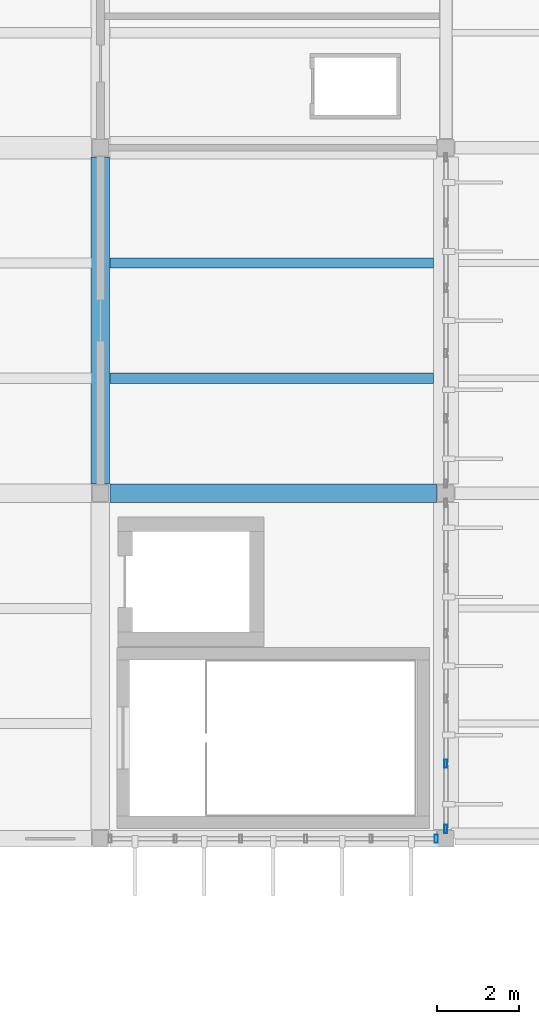
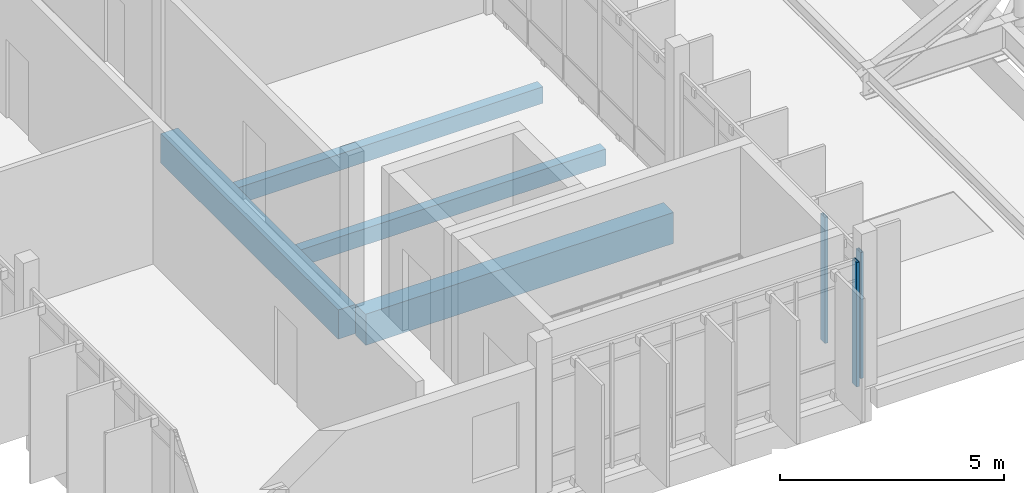
# One storey, part 6 of 41: 4 beams, 3 members, 2 elements without a shape of their own.
"""IFC4 building model written with IfcOpenShell, lengths in metres."""

from ifc_helpers import new_model, si_unit, direction, frame, origin, origin_2d, place, context, subcontext, project, spatial, rectangle, hollow_rectangle, extrude, material, layer, layer_set, material_profile, profile_set, type_object, element, aggregate, save


model = new_model("IFC4")

# Units and contexts
model_context = context("Model", 3, precision=1e-05, world=origin(), true_north=direction((0.0, 1.0)))
body_context = subcontext(model_context, "Body", "Model", "MODEL_VIEW")
ifc_project = project(units=[si_unit("LENGTHUNIT", "METRE"), si_unit("AREAUNIT", "SQUARE_METRE"), si_unit("VOLUMEUNIT", "CUBIC_METRE"), si_unit("PLANEANGLEUNIT", "RADIAN"), si_unit("MASSUNIT", "GRAM", prefix="KILO")], contexts=[model_context])

# Site, building, storey
site_placement = place(None, origin())
site = spatial("IfcSite", under=ifc_project, at=site_placement, CompositionType="ELEMENT")
building_placement = place(site_placement, origin())
building = spatial("IfcBuilding", under=site, at=building_placement, Name="Vireocrest Preparatory School", CompositionType="ELEMENT")
storey_placement = place(building_placement, frame((0.0, 0.0, 21.60009765625)))
storey = spatial("IfcBuildingStorey", under=building, at=storey_placement, Name="L05", CompositionType="ELEMENT", Elevation=21.60009765625)

# Curtain wall, member
ifc_material_1 = material(Name="Thermally broken aluminium EN AW-6063-T6", Category="aluminium")
ifc_layer_1 = layer(ifc_material_1, 0.179931640625)
ifc_layer_set_1 = layer_set([ifc_layer_1], Name="Thermally broken aluminium EN AW-6063-T6")
curtain_wall_type_1 = type_object("IfcCurtainWallType", Name="Side Facade Curtain Wall 9000x4200", PredefinedType="USERDEFINED", material=ifc_layer_set_1)
curtain_wall_1_placement = place(storey_placement, origin())
curtain_wall_1 = element("IfcCurtainWall", 1, at=curtain_wall_1_placement, inside=storey, type_object=curtain_wall_type_1, Name="Curtain Wall CW07 CW_L05_CW07_0506_0438_216", ObjectType="CURTAIN WALL", PredefinedType="USERDEFINED")
ifc_material_profile_1 = material_profile(ifc_material_1, hollow_rectangle(XDim=0.074951171875, YDim=0.199951171875, WallThickness=0.0048828125, at=origin_2d()), Name="ALU 75x200x5")
ifc_profile_set_1 = profile_set([ifc_material_profile_1], Name="Thermally broken aluminium EN AW-6063-T6")
member_type = type_object("IfcMemberType", Name="CW Mullion 75x200x5", PredefinedType="MULLION", material=ifc_profile_set_1)
member_1_placement = place(storey_placement, frame((58.56494140625, 43.800048828125, 0.0), z_axis=(0.0, 0.0, 1.0), x_axis=(1.0, 0.0, 0.0)))
member_1 = element("IfcMember", 2, at=member_1_placement, type_object=member_type, Name="CW Mullion ML3 CW_L05_CW07_0506_0438_216-6", PredefinedType="MULLION", context=body_context, shape_type="SweptSolid", body=[
    extrude(hollow_rectangle(XDim=0.074951171875, YDim=0.199951171875, WallThickness=0.0048828125, at=origin_2d()), origin(), (0.0, 0.0, 1.0), 3.39501953125),
])
aggregate(curtain_wall_1, [member_1])

# Curtain wall, members
ifc_layer_2 = layer(ifc_material_1, 0.179931640625)
ifc_layer_set_2 = layer_set([ifc_layer_2], Name="Thermally broken aluminium EN AW-6063-T6")
curtain_wall_type_2 = type_object("IfcCurtainWallType", Name="Teaching Fin Curtain Wall 8400x4200", PredefinedType="USERDEFINED", material=ifc_layer_set_2)
curtain_wall_2_placement = place(storey_placement, origin())
curtain_wall_2 = element("IfcCurtainWall", 3, at=curtain_wall_2_placement, inside=storey, type_object=curtain_wall_type_2, Name="Curtain Wall CW03 CW_L05_CW03_0588_0440_216", ObjectType="CURTAIN WALL", PredefinedType="USERDEFINED")
member_2_placement = place(storey_placement, frame((58.800048828125, 44.034912109375, 0.0), z_axis=(0.0, 0.0, 1.0), x_axis=(1.0, 0.0, 0.0)))
member_2 = element("IfcMember", 4, at=member_2_placement, type_object=member_type, Name="CW Mullion ML3 CW_L05_CW03_0588_0440_216-1", PredefinedType="MULLION", context=body_context, shape_type="SweptSolid", body=[
    extrude(hollow_rectangle(XDim=0.074951171875, YDim=0.199951171875, WallThickness=0.0048828125, at=origin_2d()), origin(), (0.0, 0.0, 1.0), 3.44482421875),
])
member_3_placement = place(storey_placement, frame((58.800048828125, 45.62109375, 0.0), z_axis=(0.0, 0.0, 1.0), x_axis=(1.0, 0.0, 0.0)))
member_3 = element("IfcMember", 5, at=member_3_placement, type_object=member_type, Name="CW Mullion ML3 CW_L05_CW03_0588_0440_216-2", PredefinedType="MULLION", context=body_context, shape_type="SweptSolid", body=[
    extrude(hollow_rectangle(XDim=0.074951171875, YDim=0.199951171875, WallThickness=0.0048828125, at=origin_2d()), origin(), (0.0, 0.0, 1.0), 3.44482421875),
])
aggregate(curtain_wall_2, [member_2, member_3])

# Beams
ifc_material_2 = material(Name="Concrete 40 MPa", Category="concrete")
ifc_material_profile_2 = material_profile(ifc_material_2, rectangle(XDim=0.449951171875, YDim=0.85009765625, at=origin_2d()), Name="RC 450x850")
ifc_profile_set_2 = profile_set([ifc_material_profile_2], Name="Concrete 40 MPa")
beam_type_1 = type_object("IfcBeamType", Name="RC Heavy Floor Girder 450x850", PredefinedType="BEAM", material=ifc_profile_set_2)
beam_1_placement = place(storey_placement, frame((50.625, 52.199951171875, -0.68505859375), z_axis=(1.0, 0.0, 0.0), x_axis=(0.0, 1.0, 0.0)))
element("IfcBeam", 6, at=beam_1_placement, inside=storey, type_object=beam_type_1, Name="Primary Girder B13 L05-1523", PredefinedType="BEAM", context=body_context, shape_type="SweptSolid", body=[
    extrude(rectangle(XDim=0.449951171875, YDim=0.85009765625, at=origin_2d()), origin(), (0.0, 0.0, 1.0), 7.949951171875),
])
ifc_material_profile_3 = material_profile(ifc_material_2, rectangle(XDim=0.449951171875, YDim=0.800048828125, at=origin_2d()), Name="RC 450x800")
ifc_profile_set_3 = profile_set([ifc_material_profile_3], Name="Concrete 40 MPa")
beam_type_2 = type_object("IfcBeamType", Name="RC Library Stack Girder 450x800", PredefinedType="BEAM", material=ifc_profile_set_3)
beam_2_placement = place(storey_placement, frame((50.39990234375, 52.425048828125, -0.66015625), z_axis=(0.0, 1.0, 0.0), x_axis=(-1.0, 0.0, 0.0)))
element("IfcBeam", 7, at=beam_2_placement, inside=storey, type_object=beam_type_2, Name="Primary Girder B12 L05-1571", PredefinedType="BEAM", context=body_context, shape_type="SweptSolid", body=[
    extrude(rectangle(XDim=0.449951171875, YDim=0.800048828125, at=origin_2d()), origin(), (0.0, 0.0, 1.0), 7.949951171875),
])
ifc_material_profile_4 = material_profile(ifc_material_2, rectangle(XDim=0.25, YDim=0.449951171875, at=origin_2d()), Name="RC 250x450")
ifc_profile_set_4 = profile_set([ifc_material_profile_4], Name="Concrete 40 MPa")
beam_type_3 = type_object("IfcBeamType", Name="RC Secondary Floor Joist 250x450", PredefinedType="JOIST", material=ifc_profile_set_4)
for number, where, z_axis, x_axis, name in (
    (8, (50.625, 55.0, -0.485107421875), (1.0, 0.0, 0.0), (0.0, 1.0, 0.0), "Secondary Joist J01 L05-1629"),
    (9, (50.625, 57.800048828125, -0.485107421875), (1.0, 0.0, 0.0), (0.0, 1.0, 0.0), "Secondary Joist J01 L05-1630"),
):
    element("IfcBeam", number, at=place(storey_placement, frame(where, z_axis=z_axis, x_axis=x_axis)), inside=storey, type_object=beam_type_3, Name=name, PredefinedType="JOIST", context=body_context, shape_type="SweptSolid", body=[
        extrude(rectangle(XDim=0.25, YDim=0.449951171875, at=origin_2d()), origin(), (0.0, 0.0, 1.0), 7.875),
    ])

save(model, "model.ifc")
